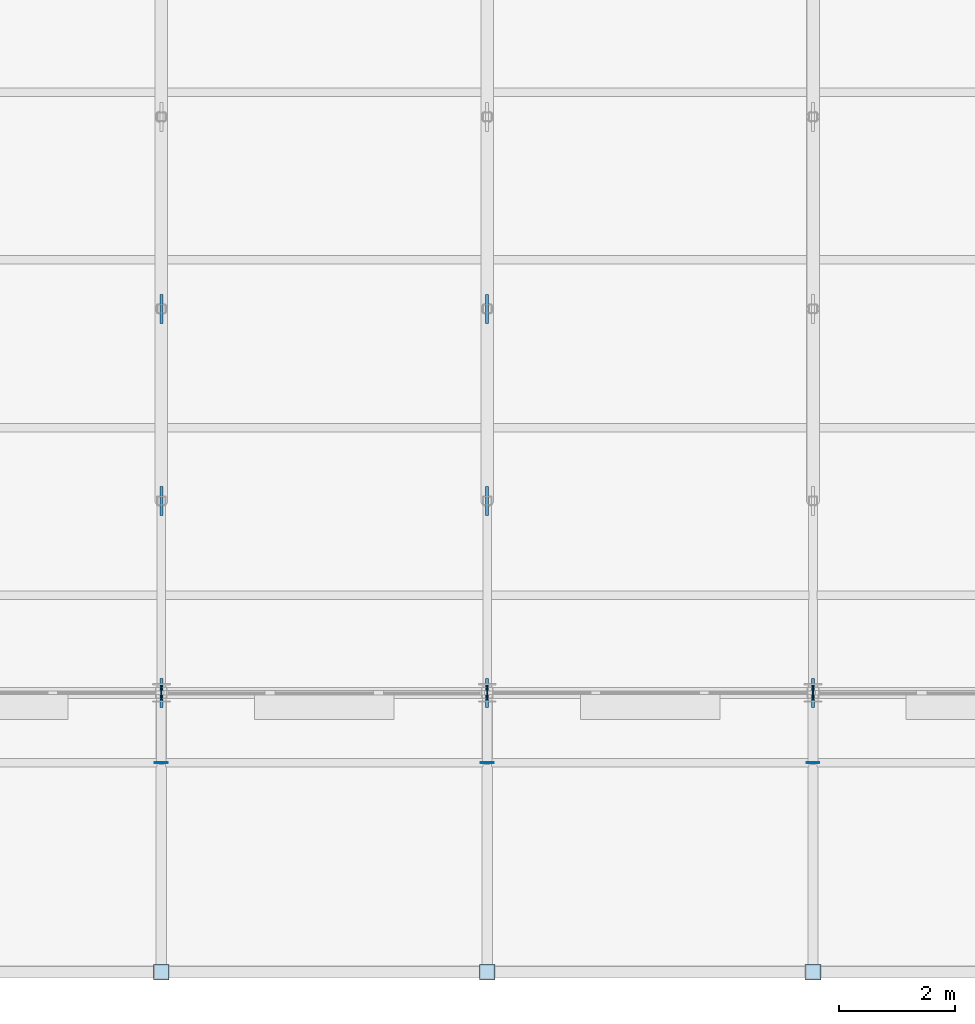
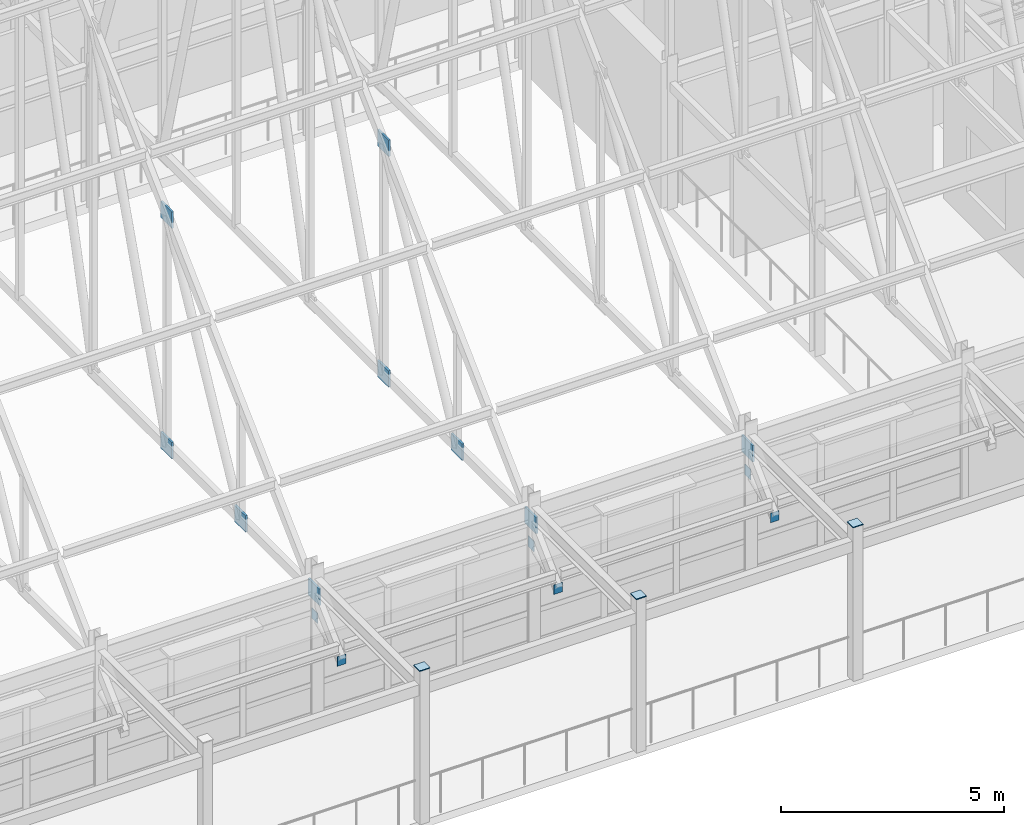
# One storey, part 107 of 144: 18 plates.
"""IFC4 building model written with IfcOpenShell, lengths in metres."""

from ifc_helpers import new_model, si_unit, direction, frame, origin, origin_2d, place, context, subcontext, project, spatial, rectangle, extrude, material, layer, layer_set, type_object, element, save


model = new_model("IFC4")

# Units and contexts
model_context = context("Model", 3, precision=1e-05, world=origin(), true_north=direction((0.0, 1.0)))
body_context = subcontext(model_context, "Body", "Model", "MODEL_VIEW")
ifc_project = project(units=[si_unit("LENGTHUNIT", "METRE"), si_unit("AREAUNIT", "SQUARE_METRE"), si_unit("VOLUMEUNIT", "CUBIC_METRE"), si_unit("PLANEANGLEUNIT", "RADIAN"), si_unit("MASSUNIT", "GRAM", prefix="KILO")], contexts=[model_context])

# Site, building, storey
site_placement = place(None, origin())
site = spatial("IfcSite", under=ifc_project, at=site_placement, CompositionType="ELEMENT")
building_placement = place(site_placement, origin())
building = spatial("IfcBuilding", under=site, at=building_placement, Name="Trelmorton Wharf Fire Station", CompositionType="ELEMENT")
storey_placement = place(building_placement, frame((0.0, 0.0, 5.39990234375)))
storey = spatial("IfcBuildingStorey", under=building, at=storey_placement, Name="L01", CompositionType="ELEMENT", Elevation=5.39990234375)

# Plates
ifc_material = material(Name="Steel Grade 350", Category="steel")
ifc_layer_1 = layer(ifc_material, 0.011962890625)
ifc_layer_set_1 = layer_set([ifc_layer_1], Name="Steel Grade 350")
plate_type_1 = type_object("IfcPlateType", Name="PL_ENDCAP_12", PredefinedType="SHEET", material=ifc_layer_set_1)
for number, where, z_axis, x_axis, name in (
    (1, (34.39990234375, 6.60009765625, 2.076171875), (0.0, 0.0, 1.0), (1.0, 0.0, 0.0), "PL-EC-0025"),
    (2, (40.0, 6.60009765625, 2.076171875), (0.0, 0.0, 1.0), (1.0, 0.0, 0.0), "PL-EC-0029"),
    (3, (45.60009765625, 6.60009765625, 2.076171875), (0.0, 0.0, 1.0), (1.0, 0.0, 0.0), "PL-EC-0033"),
):
    element("IfcPlate", number, at=place(storey_placement, frame(where, z_axis=z_axis, x_axis=x_axis)), inside=storey, type_object=plate_type_1, Name=name, PredefinedType="SHEET", context=body_context, shape_type="SweptSolid", body=[
        extrude(rectangle(XDim=0.219970703125, YDim=0.011962890625, at=origin_2d()), origin(), (0.0, 0.0, 1.0), 0.260009765625),
    ])
ifc_layer_2 = layer(ifc_material, 0.02001953125)
ifc_layer_set_2 = layer_set([ifc_layer_2], Name="Steel Grade 350")
plate_type_2 = type_object("IfcPlateType", Name="PL_ENDCAP_20", PredefinedType="SHEET", material=ifc_layer_set_2)
for number, where, z_axis, x_axis, name in (
    (4, (34.39990234375, 3.0, 4.1982421875), (0.0, 0.0, 1.0), (1.0, 0.0, 0.0), "PL-COLCAP-T-0298"),
    (5, (40.0, 3.0, 4.1982421875), (0.0, 0.0, 1.0), (1.0, 0.0, 0.0), "PL-COLCAP-T-0306"),
    (6, (45.60009765625, 3.0, 4.1982421875), (0.0, 0.0, 1.0), (1.0, 0.0, 0.0), "PL-COLCAP-T-0314"),
):
    element("IfcPlate", number, at=place(storey_placement, frame(where, z_axis=z_axis, x_axis=x_axis)), inside=storey, type_object=plate_type_2, Name=name, PredefinedType="SHEET", context=body_context, shape_type="SweptSolid", body=[
        extrude(rectangle(XDim=0.27001953125, YDim=0.27001953125, at=origin_2d()), origin(), (0.0, 0.0, 1.0), 0.02392578125),
    ])
for number, where, z_axis, x_axis, name in (
    (7, (34.39990234375, 7.800048828125, 2.56005859375), (0.0, 0.0, 1.0), (1.0, 0.0, 0.0), "PL-EC-0026"),
    (8, (40.0, 7.800048828125, 2.56005859375), (0.0, 0.0, 1.0), (1.0, 0.0, 0.0), "PL-EC-0030"),
    (9, (45.60009765625, 7.800048828125, 2.56005859375), (0.0, 0.0, 1.0), (1.0, 0.0, 0.0), "PL-EC-0034"),
):
    element("IfcPlate", number, at=place(storey_placement, frame(where, z_axis=z_axis, x_axis=x_axis)), inside=storey, type_object=plate_type_2, Name=name, PredefinedType="SHEET", context=body_context, shape_type="SweptSolid", body=[
        extrude(rectangle(XDim=0.02001953125, YDim=0.260009765625, at=origin_2d()), origin(), (0.0, 0.0, 1.0), 0.280029296875),
    ])
ifc_layer_3 = layer(ifc_material, 0.050048828125)
ifc_layer_set_3 = layer_set([ifc_layer_3], Name="Steel Grade 350")
plate_type_3 = type_object("IfcPlateType", Name="PL_GUSSET_TN2", PredefinedType="USERDEFINED", material=ifc_layer_set_3)
for number, where, z_axis, x_axis, name in (
    (10, (34.39990234375, 7.800048828125, 3.126953125), (0.0, 0.0, 1.0), (1.0, 0.0, 0.0), "PL-TN-0183"),
    (11, (34.39990234375, 11.10009765625, 3.126953125), (0.0, 0.0, 1.0), (1.0, 0.0, 0.0), "PL-TN-0186"),
    (12, (34.39990234375, 14.39990234375, 9.4267578125), (0.0, 0.0, 1.0), (1.0, 0.0, 0.0), "PL-TN-0187"),
    (13, (34.39990234375, 14.39990234375, 3.126953125), (0.0, 0.0, 1.0), (1.0, 0.0, 0.0), "PL-TN-0188"),
    (14, (40.0, 7.800048828125, 3.126953125), (0.0, 0.0, 1.0), (1.0, 0.0, 0.0), "PL-TN-0196"),
    (15, (40.0, 11.10009765625, 3.126953125), (0.0, 0.0, 1.0), (1.0, 0.0, 0.0), "PL-TN-0199"),
    (16, (40.0, 14.39990234375, 9.4267578125), (0.0, 0.0, 1.0), (1.0, 0.0, 0.0), "PL-TN-0200"),
    (17, (40.0, 14.39990234375, 3.126953125), (0.0, 0.0, 1.0), (1.0, 0.0, 0.0), "PL-TN-0201"),
    (18, (45.60009765625, 7.800048828125, 3.126953125), (0.0, 0.0, 1.0), (1.0, 0.0, 0.0), "PL-TN-0209"),
):
    element("IfcPlate", number, at=place(storey_placement, frame(where, z_axis=z_axis, x_axis=x_axis)), inside=storey, type_object=plate_type_3, Name=name, ObjectType="GUSSET PLATE", PredefinedType="USERDEFINED", context=body_context, shape_type="SweptSolid", body=[
        extrude(rectangle(XDim=0.050048828125, YDim=0.5, at=origin_2d()), origin(), (0.0, 0.0, 1.0), 0.449951171875),
    ])

save(model, "model.ifc")
